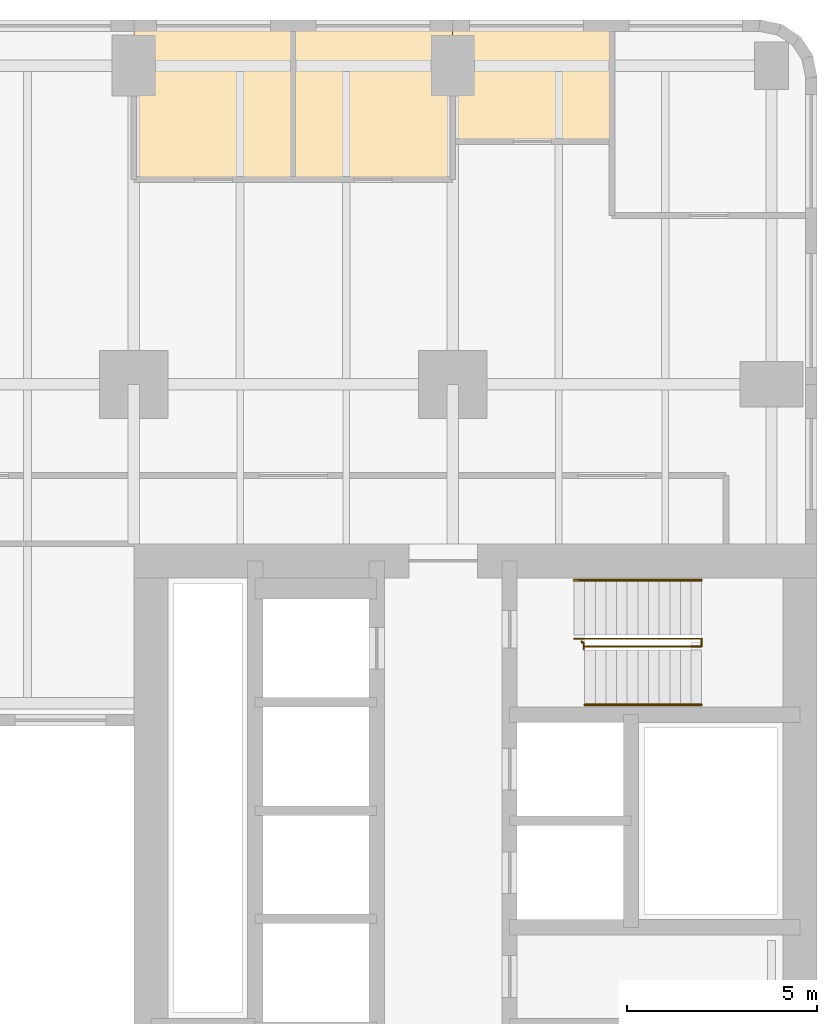
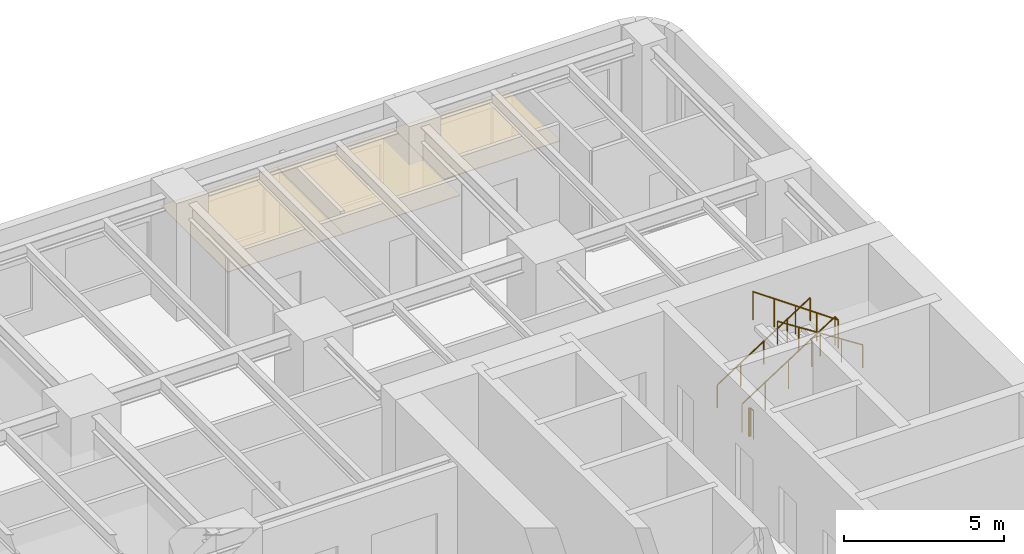
# One storey, part 12 of 12: 4 railings, 3 coverings.
"""IFC4 building model written with IfcOpenShell, lengths in metres."""

from ifc_helpers import new_model, si_unit, direction, frame, origin, origin_2d, place, context, subcontext, project, spatial, polyline, circle, outline, extrude, material, layer, layer_set, type_object, element, save


model = new_model("IFC4")

# Units and contexts
model_context = context("Model", 3, precision=1e-05, world=origin(), true_north=direction((0.0, 1.0)))
body_context = subcontext(model_context, "Body", "Model", "MODEL_VIEW")
ifc_project = project(units=[si_unit("LENGTHUNIT", "METRE"), si_unit("AREAUNIT", "SQUARE_METRE"), si_unit("VOLUMEUNIT", "CUBIC_METRE"), si_unit("PLANEANGLEUNIT", "RADIAN"), si_unit("MASSUNIT", "GRAM", prefix="KILO")], contexts=[model_context])

# Site, building, storey
site_placement = place(None, origin())
site = spatial("IfcSite", under=ifc_project, at=site_placement, CompositionType="ELEMENT")
building_placement = place(site_placement, origin())
building = spatial("IfcBuilding", under=site, at=building_placement, Name="Claustro Exchange Tower", CompositionType="ELEMENT")
storey_placement = place(building_placement, frame((0.0, 0.0, 50.39990234375)))
storey = spatial("IfcBuildingStorey", under=building, at=storey_placement, Name="L11", CompositionType="ELEMENT", Elevation=50.39990234375)

# Coverings
ifc_material_1 = material(Name="Gypsum board ceiling", Category="gypsum board")
ifc_layer = layer(ifc_material_1, 0.02490234375)
ifc_layer_set = layer_set([ifc_layer], Name="Gypsum board ceiling")
covering_type = type_object("IfcCoveringType", Name="CL2 plasterboard ceiling", PredefinedType="CEILING", material=ifc_layer_set)
covering_1_placement = place(storey_placement, frame((0.0, 0.0, 3.0)))
element("IfcCovering", 1, at=covering_1_placement, inside=storey, type_object=covering_type, Name="Ceiling CL2 L11-21", PredefinedType="CEILING", context=body_context, shape_type="SweptSolid", body=[
    extrude(outline(polyline([(37.800048828125, 51.60009765625), (33.60009765625, 51.60009765625), (33.60009765625, 47.39990234375), (37.800048828125, 47.39990234375), (37.800048828125, 51.60009765625)])), origin(), (0.0, 0.0, 1.0), 0.025146484375),
])
covering_2_placement = place(storey_placement, frame((0.0, 0.0, 3.0)))
element("IfcCovering", 2, at=covering_2_placement, inside=storey, type_object=covering_type, Name="Ceiling CL2 L11-22", PredefinedType="CEILING", context=body_context, shape_type="SweptSolid", body=[
    extrude(outline(polyline([(42.0, 51.60009765625), (37.800048828125, 51.60009765625), (37.800048828125, 47.39990234375), (42.0, 47.39990234375), (42.0, 51.60009765625)])), origin(), (0.0, 0.0, 1.0), 0.025146484375),
])
covering_3_placement = place(storey_placement, frame((0.0, 0.0, 3.0)))
element("IfcCovering", 3, at=covering_3_placement, inside=storey, type_object=covering_type, Name="Ceiling CL2 L11-23", PredefinedType="CEILING", context=body_context, shape_type="SweptSolid", body=[
    extrude(outline(polyline([(46.199951171875, 51.60009765625), (42.0, 51.60009765625), (42.0, 48.39990234375), (46.199951171875, 48.39990234375), (46.199951171875, 51.60009765625)])), origin(), (0.0, 0.0, 1.0), 0.025146484375),
])

# Railings
ifc_material_2 = material(Name="Steel balustrade, painted", Category="steel")
railing_type_1 = type_object("IfcRailingType", Name="GR2 1100 steel stair guard", PredefinedType="GUARDRAIL", material=ifc_material_2)
railing_1_placement = place(storey_placement, frame((45.199951171875, 35.300048828125, 0.18017578125)))
element("IfcRailing", 4, at=railing_1_placement, inside=storey, type_object=railing_type_1, Name="Stair well guard GR2 stair STEB L11", PredefinedType="GUARDRAIL", context=body_context, shape_type="SweptSolid", body=[
    extrude(circle(Radius=0.02392578125, at=origin_2d()), frame((0.0, 0.0, 1.076171875), z_axis=(0.84119634759, 0.0, 0.540729789082), x_axis=(0.0, 1.0, 0.0)), (0.0, 0.0, 1.0), 3.994384765625),
    extrude(circle(Radius=0.02392578125, at=origin_2d()), frame((3.360107421875, 0.0, 3.23583984375), z_axis=(0.0, -1.0, 0.0), x_axis=(1.0, 0.0, 0.0)), (0.0, 0.0, 1.0), 0.199951171875),
    extrude(circle(Radius=0.02392578125, at=origin_2d()), frame((3.360107421875, -0.199951171875, 3.23583984375), z_axis=(-0.8187499073, 0.0, 0.574150319426), x_axis=(0.0, -1.0, 0.0)), (0.0, 0.0, 1.0), 3.761962890625),
    extrude(circle(Radius=0.02099609375, at=origin_2d()), origin(), (0.0, 0.0, 1.0), 1.052001953125),
    extrude(circle(Radius=0.02099609375, at=origin_2d()), frame((0.840087890625, 0.0, 0.5400390625)), (0.0, 0.0, 1.0), 1.052001953125),
    extrude(circle(Radius=0.02099609375, at=origin_2d()), frame((1.68017578125, 0.0, 1.080078125)), (0.0, 0.0, 1.0), 1.052001953125),
    extrude(circle(Radius=0.02099609375, at=origin_2d()), frame((2.52001953125, 0.0, 1.619873046875)), (0.0, 0.0, 1.0), 1.052001953125),
    extrude(circle(Radius=0.02099609375, at=origin_2d()), frame((3.360107421875, 0.0, 2.159912109375)), (0.0, 0.0, 1.0), 1.052001953125),
    extrude(circle(Radius=0.02099609375, at=origin_2d()), frame((3.360107421875, -0.199951171875, 2.159912109375)), (0.0, 0.0, 1.0), 1.052001953125),
    extrude(circle(Radius=0.02099609375, at=origin_2d()), frame((2.590087890625, -0.199951171875, 2.699951171875)), (0.0, 0.0, 1.0), 1.052001953125),
    extrude(circle(Radius=0.02099609375, at=origin_2d()), frame((1.820068359375, -0.199951171875, 3.23974609375)), (0.0, 0.0, 1.0), 1.052001953125),
    extrude(circle(Radius=0.02099609375, at=origin_2d()), frame((1.050048828125, -0.199951171875, 3.77978515625)), (0.0, 0.0, 1.0), 1.052001953125),
    extrude(circle(Radius=0.02099609375, at=origin_2d()), frame((0.280029296875, -0.199951171875, 4.31982421875)), (0.0, 0.0, 1.0), 1.052001953125),
])
railing_2_placement = place(storey_placement, frame((45.39990234375, 35.22998046875, 0.0)))
element("IfcRailing", 5, at=railing_2_placement, inside=storey, type_object=railing_type_1, Name="Stair guard GR2 STEB L11", PredefinedType="GUARDRAIL", context=body_context, shape_type="SweptSolid", body=[
    extrude(circle(Radius=0.02392578125, at=origin_2d()), frame((0.0, 0.0, 1.076171875), z_axis=(0.0, -1.0, 0.0), x_axis=(1.0, 0.0, 0.0)), (0.0, 0.0, 1.0), 0.030029296875),
    extrude(circle(Radius=0.02392578125, at=origin_2d()), frame((0.0, -0.030029296875, 1.076171875), z_axis=(1.0, 0.0, 0.0), x_axis=(0.0, 1.0, 0.0)), (0.0, 0.0, 1.0), 0.05517578125),
    extrude(circle(Radius=0.02392578125, at=origin_2d()), frame((0.05517578125, -0.030029296875, 1.076171875), z_axis=(0.0, -1.0, 0.0), x_axis=(1.0, 0.0, 0.0)), (0.0, 0.0, 1.0), 0.179931640625),
    extrude(circle(Radius=0.02099609375, at=origin_2d()), origin(), (0.0, 0.0, 1.0), 1.052001953125),
    extrude(circle(Radius=0.02099609375, at=origin_2d()), frame((0.0, -0.030029296875, 0.0)), (0.0, 0.0, 1.0), 1.052001953125),
    extrude(circle(Radius=0.02099609375, at=origin_2d()), frame((0.05517578125, -0.030029296875, 0.0)), (0.0, 0.0, 1.0), 1.052001953125),
    extrude(circle(Radius=0.02099609375, at=origin_2d()), frame((0.05517578125, -0.2099609375, 0.0)), (0.0, 0.0, 1.0), 1.052001953125),
])
ifc_material_3 = material(Name="Stainless steel tube", Category="steel")
railing_type_2 = type_object("IfcRailingType", Name="HR1 900 stair handrail", PredefinedType="HANDRAIL", material=ifc_material_3)
railing_3_placement = place(storey_placement, frame((45.199951171875, 36.840087890625, 0.18017578125)))
element("IfcRailing", 6, at=railing_3_placement, inside=storey, type_object=railing_type_2, Name="Handrail HR1 stair STEB L11", PredefinedType="HANDRAIL", context=body_context, shape_type="SweptSolid", body=[
    extrude(circle(Radius=0.02392578125, at=origin_2d()), frame((0.0, 0.0, 0.8759765625), z_axis=(0.84119634759, 0.0, 0.540729789082), x_axis=(0.0, 1.0, 0.0)), (0.0, 0.0, 1.0), 3.994384765625),
    extrude(circle(Radius=0.02099609375, at=origin_2d()), origin(), (0.0, 0.0, 1.0), 0.851806640625),
    extrude(circle(Radius=0.02099609375, at=origin_2d()), frame((0.840087890625, 0.0, 0.5400390625)), (0.0, 0.0, 1.0), 0.851806640625),
    extrude(circle(Radius=0.02099609375, at=origin_2d()), frame((1.68017578125, 0.0, 1.080078125)), (0.0, 0.0, 1.0), 0.851806640625),
    extrude(circle(Radius=0.02099609375, at=origin_2d()), frame((2.52001953125, 0.0, 1.619873046875)), (0.0, 0.0, 1.0), 0.851806640625),
    extrude(circle(Radius=0.02099609375, at=origin_2d()), frame((3.360107421875, 0.0, 2.159912109375)), (0.0, 0.0, 1.0), 0.851806640625),
])
railing_4_placement = place(storey_placement, frame((48.56005859375, 33.56005859375, 2.52001953125)))
element("IfcRailing", 7, at=railing_4_placement, inside=storey, type_object=railing_type_2, Name="Handrail HR1 stair STEB L11", PredefinedType="HANDRAIL", context=body_context, shape_type="SweptSolid", body=[
    extrude(circle(Radius=0.02392578125, at=origin_2d()), frame((0.0, 0.0, 0.8759765625), z_axis=(-0.84118714077, 0.0, 0.540744111576), x_axis=(0.0, -1.0, 0.0)), (0.0, 0.0, 1.0), 3.66162109375),
    extrude(circle(Radius=0.02099609375, at=origin_2d()), origin(), (0.0, 0.0, 1.0), 0.851806640625),
    extrude(circle(Radius=0.02099609375, at=origin_2d()), frame((-0.77001953125, 0.0, 0.4951171875)), (0.0, 0.0, 1.0), 0.851806640625),
    extrude(circle(Radius=0.02099609375, at=origin_2d()), frame((-1.5400390625, 0.0, 0.989990234375)), (0.0, 0.0, 1.0), 0.851806640625),
    extrude(circle(Radius=0.02099609375, at=origin_2d()), frame((-2.31005859375, 0.0, 1.48486328125)), (0.0, 0.0, 1.0), 0.851806640625),
    extrude(circle(Radius=0.02099609375, at=origin_2d()), frame((-3.080078125, 0.0, 1.97998046875)), (0.0, 0.0, 1.0), 0.851806640625),
])

save(model, "model.ifc")
